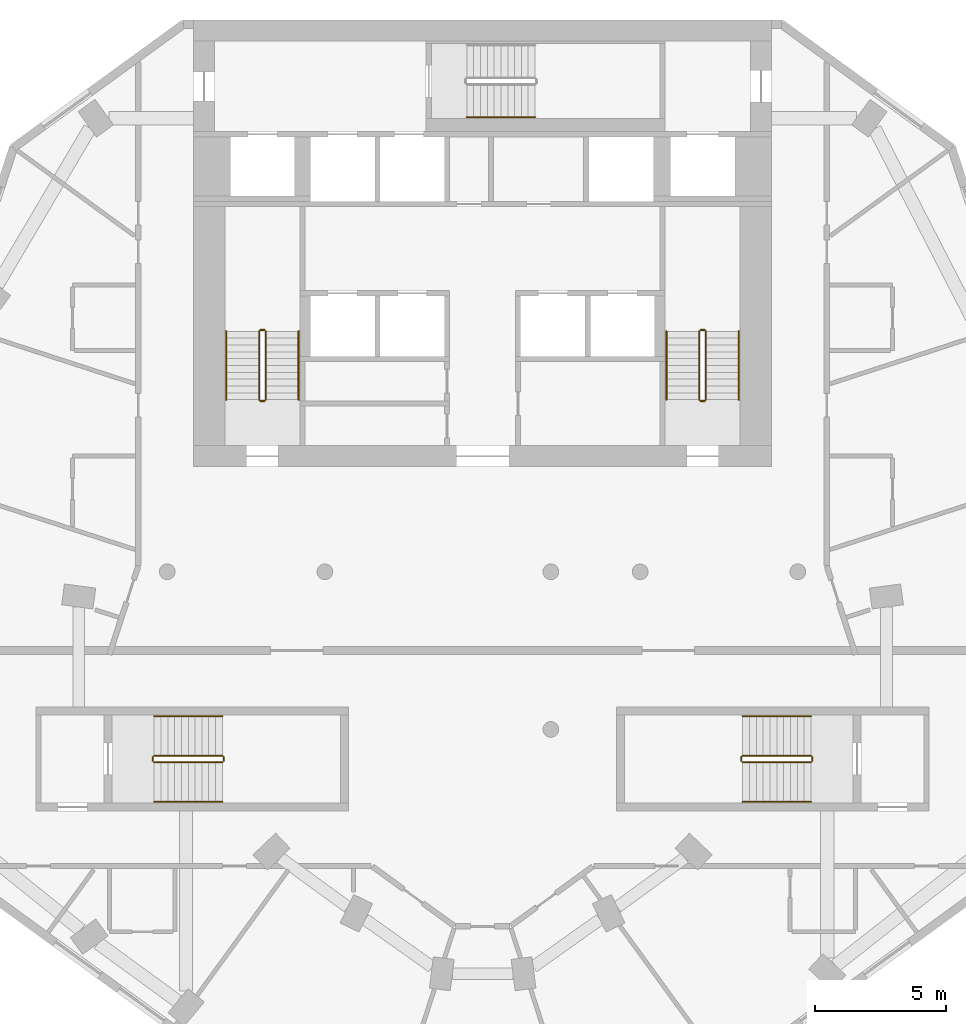
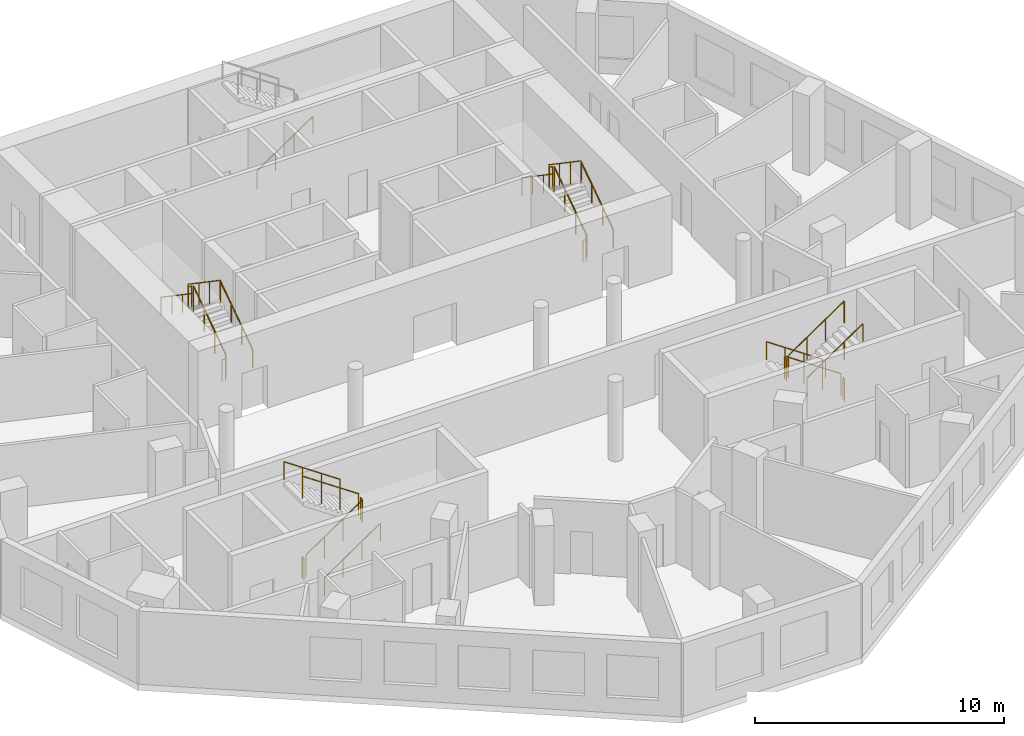
# One storey, part 8 of 9: 25 railings.
"""IFC4 building model written with IfcOpenShell, lengths in metres."""

import ifcopenshell
import ifcopenshell.guid

model = None  # the IFC model being written
_history = None  # IfcOwnerHistory: only IFC2X3 demands one
_inside = {}  # id of a spatial element -> (the spatial element, [elements in it])
_under = {}  # id of a project, library or spatial element -> (it, [spatial elements below it])
_declared = {}  # id of a project -> (the project, [libraries it declares])
_typed = {}  # id of a type object -> (the type object, [elements of that type])
_made_of = {}  # id of a material, layer set ... -> (it, [elements and type objects made of it])


def new_model(schema):
    """Start an empty IFC model of exactly this schema.

    Asked for "IFC4X3", IfcOpenShell would pick the latest addendum, in which some entities
    have other attributes; the version numbers below select the first issue.
    IFC2X3 requires an IfcOwnerHistory on every rooted entity: one is made here for all.
    """
    global model, _history
    if schema == "IFC4X3":
        model = ifcopenshell.file(schema_version=(4, 3, 0, 0))
    else:
        model = ifcopenshell.file(schema=schema)
    _inside.clear()
    _under.clear()
    _declared.clear()
    _typed.clear()
    _made_of.clear()
    _history = None
    if model.schema == "IFC2X3":
        org = make("IfcOrganization", Name="unknown")
        user = make(
            "IfcPersonAndOrganization",
            ThePerson=make("IfcPerson", FamilyName="unknown"),
            TheOrganization=org,
        )
        app = make(
            "IfcApplication",
            ApplicationDeveloper=org,
            Version="unknown",
            ApplicationFullName="unknown",
            ApplicationIdentifier="unknown",
        )
        _history = make(
            "IfcOwnerHistory",
            OwningUser=user,
            OwningApplication=app,
            ChangeAction="ADDED",
            CreationDate=0,
        )
    return model


def make(cls, **values):
    """One entity of the class cls with the attributes given. An attribute that is None is left unset."""
    return model.create_entity(
        cls, **{name: value for name, value in values.items() if value is not None}
    )


def rooted(cls, **values):
    """An entity with a GlobalId (a new one), such as an element, a storey or a relation."""
    return make(cls, GlobalId=ifcopenshell.guid.new(), OwnerHistory=_history, **values)


def si_unit(unit_type, name, prefix=None):
    """IfcSIUnit, for example si_unit("LENGTHUNIT", "METRE", prefix="MILLI")."""
    return make("IfcSIUnit", UnitType=unit_type, Prefix=prefix, Name=name)


def assignment(units):
    """IfcUnitAssignment: the units of a project."""
    return None if units is None else make("IfcUnitAssignment", Units=units)


def point(xyz):
    """IfcCartesianPoint."""
    return None if xyz is None else make("IfcCartesianPoint", Coordinates=xyz)


def direction(xyz):
    """IfcDirection."""
    return None if xyz is None else make("IfcDirection", DirectionRatios=xyz)


def frame(location, z_axis=None, x_axis=None):
    """IfcAxis2Placement3D, a coordinate frame: its origin and axes. An axis left out is left unset."""
    return make(
        "IfcAxis2Placement3D",
        Location=point(location),
        Axis=direction(z_axis),
        RefDirection=direction(x_axis),
    )


def frame_2d(location, x_axis=None):
    """IfcAxis2Placement2D, a coordinate frame in the plane: its origin and x axis."""
    return make(
        "IfcAxis2Placement2D", Location=point(location), RefDirection=direction(x_axis)
    )


def origin():
    """The frame at (0, 0, 0) with its axes left unset."""
    return frame((0.0, 0.0, 0.0))


def origin_2d():
    """The frame at (0, 0) in the plane with its x axis left unset."""
    return frame_2d((0.0, 0.0))


def place(relative_to, where):
    """IfcLocalPlacement: puts the frame where relative to a parent placement (None: the world)."""
    return make(
        "IfcLocalPlacement", PlacementRelTo=relative_to, RelativePlacement=where
    )


def context(
    kind, dimensions, precision=None, world=None, true_north=None, identifier=None
):
    """IfcGeometricRepresentationContext, for example the 3D "Model" context."""
    return make(
        "IfcGeometricRepresentationContext",
        ContextIdentifier=identifier,
        ContextType=kind,
        CoordinateSpaceDimension=dimensions,
        Precision=precision,
        WorldCoordinateSystem=world,
        TrueNorth=true_north,
    )


def subcontext(parent, identifier, kind, view, scale=None):
    """IfcGeometricRepresentationSubContext, for example "Body" below "Model"."""
    return make(
        "IfcGeometricRepresentationSubContext",
        ContextIdentifier=identifier,
        ContextType=kind,
        ParentContext=parent,
        TargetScale=scale,
        TargetView=view,
    )


def project(units=None, contexts=None):
    """IfcProject with its units and contexts."""
    return rooted(
        "IfcProject",
        Name="project",
        RepresentationContexts=contexts,
        UnitsInContext=assignment(units),
    )


def spatial(cls, under=None, at=None, **own):
    """A site, building, storey or space (cls), placed at a placement, below another one or the project."""
    s = rooted(cls, ObjectPlacement=at, **own)
    if under is not None:
        _under.setdefault(under.id(), (under, []))[1].append(s)
    return s


def profile(cls, at=None, kind="AREA", **sizes):
    """A parametric profile (cls). Its sizes go by their IFC names, for example OverallWidth=200.0."""
    return make(cls, ProfileType=kind, Position=at, **sizes)


def circle(**sizes):
    """IfcCircleProfileDef."""
    return profile("IfcCircleProfileDef", **sizes)


def extrude(swept, where, along, depth):
    """IfcExtrudedAreaSolid: the profile swept, set in the frame where, extruded along a direction by depth."""
    return make(
        "IfcExtrudedAreaSolid",
        SweptArea=swept,
        Position=where,
        ExtrudedDirection=direction(along),
        Depth=depth,
    )


def shape(context_of_items, identifier, shape_type, items):
    """IfcShapeRepresentation: the items that make up one representation, for example the "Body"."""
    return make(
        "IfcShapeRepresentation",
        ContextOfItems=context_of_items,
        RepresentationIdentifier=identifier,
        RepresentationType=shape_type,
        Items=items,
    )


def material(Name=None, Category=None):
    """IfcMaterial."""
    return make("IfcMaterial", Name=Name, Category=Category)


def made_of(thing, what):
    """Note that an element or type object is made of a material, layer set ...; save() writes the relation."""
    if what is not None:
        _made_of.setdefault(what.id(), (what, []))[1].append(thing)
    return thing


def type_object(cls, material=None, **own):
    """A type object (cls), such as IfcWallType, which elements share."""
    return made_of(rooted(cls, **own), material)


def element(
    cls,
    number,
    at=None,
    inside=None,
    cuts=None,
    type_object=None,
    material=None,
    context=None,
    identifier="Body",
    shape_type=None,
    held_by="IfcProductDefinitionShape",
    body=None,
    shapes=None,
    **own,
):
    """One element of the class cls, such as IfcWall. Its Tag is "e" and its number.

    at: its placement. inside: the storey or other place that contains it. cuts: it is an
    opening in that element (IfcRelVoidsElement). A single representation is given by context,
    identifier, shape_type and body (its items); several are given by shapes. held_by: the class
    of the entity that holds the representations. save() writes the other relations.
    """
    e = rooted(cls, Tag="e%d" % number, ObjectPlacement=at, **own)
    if body is not None:
        shapes = [shape(context, identifier, shape_type, body)]
    if shapes is not None:
        e.Representation = make(held_by, Representations=shapes)
    if inside is not None:
        _inside.setdefault(inside.id(), (inside, []))[1].append(e)
    if cuts is not None:
        rooted(
            "IfcRelVoidsElement", RelatingBuildingElement=cuts, RelatedOpeningElement=e
        )
    if type_object is not None:
        _typed.setdefault(type_object.id(), (type_object, []))[1].append(e)
    return made_of(e, material)


def aggregate(whole, parts):
    """IfcRelAggregates: a whole, such as a stair, and the parts it consists of."""
    return rooted("IfcRelAggregates", RelatingObject=whole, RelatedObjects=parts)


def save(model, path):
    """Write the relations noted so far, then the file.

    IfcRelAggregates (storeys below a building ...), IfcRelContainedInSpatialStructure (elements
    in a storey), IfcRelDefinesByType, IfcRelAssociatesMaterial and IfcRelDeclares: one each for
    every whole, place, type object, material and project.
    """
    for whole, parts in _under.values():
        aggregate(whole, parts)
    for where, things in _inside.values():
        rooted(
            "IfcRelContainedInSpatialStructure",
            RelatedElements=things,
            RelatingStructure=where,
        )
    for kind, things in _typed.values():
        rooted("IfcRelDefinesByType", RelatedObjects=things, RelatingType=kind)
    for what, things in _made_of.values():
        rooted("IfcRelAssociatesMaterial", RelatedObjects=things, RelatingMaterial=what)
    for by, libraries in _declared.values():
        rooted("IfcRelDeclares", RelatingContext=by, RelatedDefinitions=libraries)
    model.write(path)


model = new_model("IFC4")

# Units and contexts
model_context = context("Model", 3, precision=1e-05, world=origin(), true_north=direction((0.0, 1.0)))
body_context = subcontext(model_context, "Body", "Model", "MODEL_VIEW")
ifc_project = project(units=[si_unit("LENGTHUNIT", "METRE"), si_unit("AREAUNIT", "SQUARE_METRE"), si_unit("VOLUMEUNIT", "CUBIC_METRE"), si_unit("PLANEANGLEUNIT", "RADIAN"), si_unit("MASSUNIT", "GRAM", prefix="KILO")], contexts=[model_context])

# Site, building, storey
site_placement = place(None, origin())
site = spatial("IfcSite", under=ifc_project, at=site_placement, CompositionType="ELEMENT")
building_placement = place(site_placement, origin())
building = spatial("IfcBuilding", under=site, at=building_placement, Name="White Candle Pilgrim Tower", CompositionType="ELEMENT")
storey_placement = place(building_placement, frame((0.0, 0.0, 235.5)))
storey = spatial("IfcBuildingStorey", under=building, at=storey_placement, Name="L55", CompositionType="ELEMENT", Elevation=235.5)

# Railings
ifc_material = material(Name="Stainless steel", Category="steel")
railing_type_1 = type_object("IfcRailingType", Name="Stair guard stainless steel 1100 mm", PredefinedType="GUARDRAIL", material=ifc_material)
railing_1_placement = place(storey_placement, frame((61.75, 73.550048828125, 0.17724609375)))
element("IfcRailing", 1, at=railing_1_placement, inside=storey, type_object=railing_type_1, Name="L55 ST1 stair guard 1", PredefinedType="GUARDRAIL", context=body_context, shape_type="SweptSolid", body=[
    extrude(circle(Radius=0.02392578125, at=origin_2d()), frame((0.0, 0.0, 1.076171875), z_axis=(0.0, 0.826215852431, 0.563353676824), x_axis=(-1.0, 0.0, 0.0)), (0.0, 0.0, 1.0), 3.146728515625),
    extrude(circle(Radius=0.02099609375, at=origin_2d()), origin(), (0.0, 0.0, 1.0), 1.052001953125),
    extrude(circle(Radius=0.02099609375, at=origin_2d()), frame((0.0, 0.86669921875, 0.5908203125)), (0.0, 0.0, 1.0), 1.052001953125),
    extrude(circle(Radius=0.02099609375, at=origin_2d()), frame((0.0, 1.733154296875, 1.181884765625)), (0.0, 0.0, 1.0), 1.052001953125),
    extrude(circle(Radius=0.02099609375, at=origin_2d()), frame((0.0, 2.599853515625, 1.772705078125)), (0.0, 0.0, 1.0), 1.052001953125),
])
railing_2_placement = place(storey_placement, frame((61.699951171875, 76.199951171875, 1.949951171875)))
element("IfcRailing", 2, at=railing_2_placement, inside=storey, type_object=railing_type_1, Name="L55 ST1 stair guard 2", PredefinedType="GUARDRAIL", context=body_context, shape_type="SweptSolid", body=[
    extrude(circle(Radius=0.02392578125, at=origin_2d()), frame((0.0, 0.0, 1.076171875), z_axis=(-1.0, 0.0, 0.0), x_axis=(0.0, -1.0, 0.0)), (0.0, 0.0, 1.0), 0.14990234375),
    extrude(circle(Radius=0.02099609375, at=origin_2d()), origin(), (0.0, 0.0, 1.0), 1.052001953125),
    extrude(circle(Radius=0.02099609375, at=origin_2d()), frame((-0.14990234375, 0.0, 0.0)), (0.0, 0.0, 1.0), 1.052001953125),
])
railing_3_placement = place(storey_placement, frame((61.5, 76.14990234375, 2.127197265625)))
element("IfcRailing", 3, at=railing_3_placement, inside=storey, type_object=railing_type_1, Name="L55 ST1 stair guard 3", PredefinedType="GUARDRAIL", context=body_context, shape_type="SweptSolid", body=[
    extrude(circle(Radius=0.02392578125, at=origin_2d()), frame((0.0, 0.0, 1.076171875), z_axis=(0.0, -0.826215852431, 0.563353676824), x_axis=(1.0, 0.0, 0.0)), (0.0, 0.0, 1.0), 3.146728515625),
    extrude(circle(Radius=0.02099609375, at=origin_2d()), origin(), (0.0, 0.0, 1.0), 1.052001953125),
    extrude(circle(Radius=0.02099609375, at=origin_2d()), frame((0.0, -0.86669921875, 0.5908203125)), (0.0, 0.0, 1.0), 1.052001953125),
    extrude(circle(Radius=0.02099609375, at=origin_2d()), frame((0.0, -1.733154296875, 1.181884765625)), (0.0, 0.0, 1.0), 1.052001953125),
    extrude(circle(Radius=0.02099609375, at=origin_2d()), frame((0.0, -2.599853515625, 1.772705078125)), (0.0, 0.0, 1.0), 1.052001953125),
])
railing_4_placement = place(storey_placement, frame((61.699951171875, 73.5, 0.0)))
element("IfcRailing", 4, at=railing_4_placement, inside=storey, type_object=railing_type_1, Name="L55 ST1 stair guard 4", PredefinedType="GUARDRAIL", context=body_context, shape_type="SweptSolid", body=[
    extrude(circle(Radius=0.02392578125, at=origin_2d()), frame((0.0, 0.0, 1.076171875), z_axis=(-1.0, 0.0, 0.0), x_axis=(0.0, -1.0, 0.0)), (0.0, 0.0, 1.0), 0.14990234375),
    extrude(circle(Radius=0.02099609375, at=origin_2d()), origin(), (0.0, 0.0, 1.0), 1.052001953125),
    extrude(circle(Radius=0.02099609375, at=origin_2d()), frame((-0.14990234375, 0.0, 0.0)), (0.0, 0.0, 1.0), 1.052001953125),
])
railing_5_placement = place(storey_placement, frame((78.5, 73.550048828125, 0.17724609375)))
element("IfcRailing", 5, at=railing_5_placement, inside=storey, type_object=railing_type_1, Name="L55 ST2 stair guard 1", PredefinedType="GUARDRAIL", context=body_context, shape_type="SweptSolid", body=[
    extrude(circle(Radius=0.02392578125, at=origin_2d()), frame((0.0, 0.0, 1.076171875), z_axis=(0.0, 0.826215852431, 0.563353676824), x_axis=(-1.0, 0.0, 0.0)), (0.0, 0.0, 1.0), 3.146728515625),
    extrude(circle(Radius=0.02099609375, at=origin_2d()), origin(), (0.0, 0.0, 1.0), 1.052001953125),
    extrude(circle(Radius=0.02099609375, at=origin_2d()), frame((0.0, 0.86669921875, 0.5908203125)), (0.0, 0.0, 1.0), 1.052001953125),
    extrude(circle(Radius=0.02099609375, at=origin_2d()), frame((0.0, 1.733154296875, 1.181884765625)), (0.0, 0.0, 1.0), 1.052001953125),
    extrude(circle(Radius=0.02099609375, at=origin_2d()), frame((0.0, 2.599853515625, 1.772705078125)), (0.0, 0.0, 1.0), 1.052001953125),
])
railing_6_placement = place(storey_placement, frame((78.449951171875, 76.199951171875, 1.949951171875)))
element("IfcRailing", 6, at=railing_6_placement, inside=storey, type_object=railing_type_1, Name="L55 ST2 stair guard 2", PredefinedType="GUARDRAIL", context=body_context, shape_type="SweptSolid", body=[
    extrude(circle(Radius=0.02392578125, at=origin_2d()), frame((0.0, 0.0, 1.076171875), z_axis=(-1.0, 0.0, 0.0), x_axis=(0.0, -1.0, 0.0)), (0.0, 0.0, 1.0), 0.14990234375),
    extrude(circle(Radius=0.02099609375, at=origin_2d()), origin(), (0.0, 0.0, 1.0), 1.052001953125),
    extrude(circle(Radius=0.02099609375, at=origin_2d()), frame((-0.14990234375, 0.0, 0.0)), (0.0, 0.0, 1.0), 1.052001953125),
])
railing_7_placement = place(storey_placement, frame((78.25, 76.14990234375, 2.127197265625)))
element("IfcRailing", 7, at=railing_7_placement, inside=storey, type_object=railing_type_1, Name="L55 ST2 stair guard 3", PredefinedType="GUARDRAIL", context=body_context, shape_type="SweptSolid", body=[
    extrude(circle(Radius=0.02392578125, at=origin_2d()), frame((0.0, 0.0, 1.076171875), z_axis=(0.0, -0.826215852431, 0.563353676824), x_axis=(1.0, 0.0, 0.0)), (0.0, 0.0, 1.0), 3.146728515625),
    extrude(circle(Radius=0.02099609375, at=origin_2d()), origin(), (0.0, 0.0, 1.0), 1.052001953125),
    extrude(circle(Radius=0.02099609375, at=origin_2d()), frame((0.0, -0.86669921875, 0.5908203125)), (0.0, 0.0, 1.0), 1.052001953125),
    extrude(circle(Radius=0.02099609375, at=origin_2d()), frame((0.0, -1.733154296875, 1.181884765625)), (0.0, 0.0, 1.0), 1.052001953125),
    extrude(circle(Radius=0.02099609375, at=origin_2d()), frame((0.0, -2.599853515625, 1.772705078125)), (0.0, 0.0, 1.0), 1.052001953125),
])
railing_8_placement = place(storey_placement, frame((78.449951171875, 73.5, 0.0)))
element("IfcRailing", 8, at=railing_8_placement, inside=storey, type_object=railing_type_1, Name="L55 ST2 stair guard 4", PredefinedType="GUARDRAIL", context=body_context, shape_type="SweptSolid", body=[
    extrude(circle(Radius=0.02392578125, at=origin_2d()), frame((0.0, 0.0, 1.076171875), z_axis=(-1.0, 0.0, 0.0), x_axis=(0.0, -1.0, 0.0)), (0.0, 0.0, 1.0), 0.14990234375),
    extrude(circle(Radius=0.02099609375, at=origin_2d()), origin(), (0.0, 0.0, 1.0), 1.052001953125),
    extrude(circle(Radius=0.02099609375, at=origin_2d()), frame((-0.14990234375, 0.0, 0.0)), (0.0, 0.0, 1.0), 1.052001953125),
])
railing_9_placement = place(storey_placement, frame((82.5, 60.0, 0.17724609375)))
element("IfcRailing", 9, at=railing_9_placement, inside=storey, type_object=railing_type_1, Name="L55 ST4 stair guard 1", PredefinedType="GUARDRAIL", context=body_context, shape_type="SweptSolid", body=[
    extrude(circle(Radius=0.02392578125, at=origin_2d()), frame((0.0, 0.0, 1.076171875), z_axis=(-0.826240473404, 0.0, 0.563317565952), x_axis=(0.0, -1.0, 0.0)), (0.0, 0.0, 1.0), 3.14697265625),
    extrude(circle(Radius=0.02099609375, at=origin_2d()), origin(), (0.0, 0.0, 1.0), 1.052001953125),
    extrude(circle(Radius=0.02099609375, at=origin_2d()), frame((-0.86669921875, 0.0, 0.5908203125)), (0.0, 0.0, 1.0), 1.052001953125),
    extrude(circle(Radius=0.02099609375, at=origin_2d()), frame((-1.7333984375, 0.0, 1.181884765625)), (0.0, 0.0, 1.0), 1.052001953125),
    extrude(circle(Radius=0.02099609375, at=origin_2d()), frame((-2.60009765625, 0.0, 1.772705078125)), (0.0, 0.0, 1.0), 1.052001953125),
])
railing_10_placement = place(storey_placement, frame((79.85009765625, 59.949951171875, 1.949951171875)))
element("IfcRailing", 10, at=railing_10_placement, inside=storey, type_object=railing_type_1, Name="L55 ST4 stair guard 2", PredefinedType="GUARDRAIL", context=body_context, shape_type="SweptSolid", body=[
    extrude(circle(Radius=0.02392578125, at=origin_2d()), frame((0.0, 0.0, 1.076171875), z_axis=(0.0, -1.0, 0.0), x_axis=(1.0, 0.0, 0.0)), (0.0, 0.0, 1.0), 0.14990234375),
    extrude(circle(Radius=0.02099609375, at=origin_2d()), origin(), (0.0, 0.0, 1.0), 1.052001953125),
    extrude(circle(Radius=0.02099609375, at=origin_2d()), frame((0.0, -0.14990234375, 0.0)), (0.0, 0.0, 1.0), 1.052001953125),
])
railing_11_placement = place(storey_placement, frame((79.89990234375, 59.75, 2.127197265625)))
element("IfcRailing", 11, at=railing_11_placement, inside=storey, type_object=railing_type_1, Name="L55 ST4 stair guard 3", PredefinedType="GUARDRAIL", context=body_context, shape_type="SweptSolid", body=[
    extrude(circle(Radius=0.02392578125, at=origin_2d()), frame((0.0, 0.0, 1.076171875), z_axis=(0.826240473404, 0.0, 0.563317565952), x_axis=(0.0, 1.0, 0.0)), (0.0, 0.0, 1.0), 3.14697265625),
    extrude(circle(Radius=0.02099609375, at=origin_2d()), origin(), (0.0, 0.0, 1.0), 1.052001953125),
    extrude(circle(Radius=0.02099609375, at=origin_2d()), frame((0.86669921875, 0.0, 0.5908203125)), (0.0, 0.0, 1.0), 1.052001953125),
    extrude(circle(Radius=0.02099609375, at=origin_2d()), frame((1.7333984375, 0.0, 1.181884765625)), (0.0, 0.0, 1.0), 1.052001953125),
    extrude(circle(Radius=0.02099609375, at=origin_2d()), frame((2.60009765625, 0.0, 1.772705078125)), (0.0, 0.0, 1.0), 1.052001953125),
])
railing_12_placement = place(storey_placement, frame((82.550048828125, 59.949951171875, 0.0)))
element("IfcRailing", 12, at=railing_12_placement, inside=storey, type_object=railing_type_1, Name="L55 ST4 stair guard 4", PredefinedType="GUARDRAIL", context=body_context, shape_type="SweptSolid", body=[
    extrude(circle(Radius=0.02392578125, at=origin_2d()), frame((0.0, 0.0, 1.076171875), z_axis=(0.0, -1.0, 0.0), x_axis=(1.0, 0.0, 0.0)), (0.0, 0.0, 1.0), 0.14990234375),
    extrude(circle(Radius=0.02099609375, at=origin_2d()), origin(), (0.0, 0.0, 1.0), 1.052001953125),
    extrude(circle(Radius=0.02099609375, at=origin_2d()), frame((0.0, -0.14990234375, 0.0)), (0.0, 0.0, 1.0), 1.052001953125),
])
railing_13_placement = place(storey_placement, frame((57.5, 59.75, 0.17724609375)))
element("IfcRailing", 13, at=railing_13_placement, inside=storey, type_object=railing_type_1, Name="L55 ST5 stair guard 1", PredefinedType="GUARDRAIL", context=body_context, shape_type="SweptSolid", body=[
    extrude(circle(Radius=0.02392578125, at=origin_2d()), frame((0.0, 0.0, 1.076171875), z_axis=(0.826240473404, 0.0, 0.563317565952), x_axis=(0.0, 1.0, 0.0)), (0.0, 0.0, 1.0), 3.14697265625),
    extrude(circle(Radius=0.02099609375, at=origin_2d()), origin(), (0.0, 0.0, 1.0), 1.052001953125),
    extrude(circle(Radius=0.02099609375, at=origin_2d()), frame((0.86669921875, 0.0, 0.5908203125)), (0.0, 0.0, 1.0), 1.052001953125),
    extrude(circle(Radius=0.02099609375, at=origin_2d()), frame((1.7333984375, 0.0, 1.181884765625)), (0.0, 0.0, 1.0), 1.052001953125),
    extrude(circle(Radius=0.02099609375, at=origin_2d()), frame((2.60009765625, 0.0, 1.772705078125)), (0.0, 0.0, 1.0), 1.052001953125),
])
railing_14_placement = place(storey_placement, frame((60.14990234375, 59.800048828125, 1.949951171875)))
element("IfcRailing", 14, at=railing_14_placement, inside=storey, type_object=railing_type_1, Name="L55 ST5 stair guard 2", PredefinedType="GUARDRAIL", context=body_context, shape_type="SweptSolid", body=[
    extrude(circle(Radius=0.02392578125, at=origin_2d()), frame((0.0, 0.0, 1.076171875), z_axis=(0.0, 1.0, 0.0), x_axis=(-1.0, 0.0, 0.0)), (0.0, 0.0, 1.0), 0.14990234375),
    extrude(circle(Radius=0.02099609375, at=origin_2d()), origin(), (0.0, 0.0, 1.0), 1.052001953125),
    extrude(circle(Radius=0.02099609375, at=origin_2d()), frame((0.0, 0.14990234375, 0.0)), (0.0, 0.0, 1.0), 1.052001953125),
])
railing_15_placement = place(storey_placement, frame((60.10009765625, 60.0, 2.127197265625)))
element("IfcRailing", 15, at=railing_15_placement, inside=storey, type_object=railing_type_1, Name="L55 ST5 stair guard 3", PredefinedType="GUARDRAIL", context=body_context, shape_type="SweptSolid", body=[
    extrude(circle(Radius=0.02392578125, at=origin_2d()), frame((0.0, 0.0, 1.076171875), z_axis=(-0.826240473404, 0.0, 0.563317565952), x_axis=(0.0, -1.0, 0.0)), (0.0, 0.0, 1.0), 3.14697265625),
    extrude(circle(Radius=0.02099609375, at=origin_2d()), origin(), (0.0, 0.0, 1.0), 1.052001953125),
    extrude(circle(Radius=0.02099609375, at=origin_2d()), frame((-0.86669921875, 0.0, 0.5908203125)), (0.0, 0.0, 1.0), 1.052001953125),
    extrude(circle(Radius=0.02099609375, at=origin_2d()), frame((-1.7333984375, 0.0, 1.181884765625)), (0.0, 0.0, 1.0), 1.052001953125),
    extrude(circle(Radius=0.02099609375, at=origin_2d()), frame((-2.60009765625, 0.0, 1.772705078125)), (0.0, 0.0, 1.0), 1.052001953125),
])
railing_16_placement = place(storey_placement, frame((57.449951171875, 59.800048828125, 0.0)))
element("IfcRailing", 16, at=railing_16_placement, inside=storey, type_object=railing_type_1, Name="L55 ST5 stair guard 4", PredefinedType="GUARDRAIL", context=body_context, shape_type="SweptSolid", body=[
    extrude(circle(Radius=0.02392578125, at=origin_2d()), frame((0.0, 0.0, 1.076171875), z_axis=(0.0, 1.0, 0.0), x_axis=(-1.0, 0.0, 0.0)), (0.0, 0.0, 1.0), 0.14990234375),
    extrude(circle(Radius=0.02099609375, at=origin_2d()), origin(), (0.0, 0.0, 1.0), 1.052001953125),
    extrude(circle(Radius=0.02099609375, at=origin_2d()), frame((0.0, 0.14990234375, 0.0)), (0.0, 0.0, 1.0), 1.052001953125),
])
railing_type_2 = type_object("IfcRailingType", Name="Stair handrail stainless steel", PredefinedType="HANDRAIL", material=ifc_material)
railing_17_placement = place(storey_placement, frame((63.0, 73.550048828125, 0.17724609375)))
element("IfcRailing", 17, at=railing_17_placement, inside=storey, type_object=railing_type_2, Name="L55 ST1 stair handrail 1", PredefinedType="HANDRAIL", context=body_context, shape_type="SweptSolid", body=[
    extrude(circle(Radius=0.02392578125, at=origin_2d()), frame((0.0, 0.0, 0.8759765625), z_axis=(0.0, 0.826215852431, 0.563353676824), x_axis=(-1.0, 0.0, 0.0)), (0.0, 0.0, 1.0), 3.146728515625),
    extrude(circle(Radius=0.02099609375, at=origin_2d()), origin(), (0.0, 0.0, 1.0), 0.851806640625),
    extrude(circle(Radius=0.02099609375, at=origin_2d()), frame((0.0, 0.86669921875, 0.5908203125)), (0.0, 0.0, 1.0), 0.851806640625),
    extrude(circle(Radius=0.02099609375, at=origin_2d()), frame((0.0, 1.733154296875, 1.181884765625)), (0.0, 0.0, 1.0), 0.851806640625),
    extrude(circle(Radius=0.02099609375, at=origin_2d()), frame((0.0, 2.599853515625, 1.772705078125)), (0.0, 0.0, 1.0), 0.851806640625),
])
railing_18_placement = place(storey_placement, frame((60.25, 76.14990234375, 2.127197265625)))
element("IfcRailing", 18, at=railing_18_placement, inside=storey, type_object=railing_type_2, Name="L55 ST1 stair handrail 2", PredefinedType="HANDRAIL", context=body_context, shape_type="SweptSolid", body=[
    extrude(circle(Radius=0.02392578125, at=origin_2d()), frame((0.0, 0.0, 0.8759765625), z_axis=(0.0, -0.826215852431, 0.563353676824), x_axis=(1.0, 0.0, 0.0)), (0.0, 0.0, 1.0), 3.146728515625),
    extrude(circle(Radius=0.02099609375, at=origin_2d()), origin(), (0.0, 0.0, 1.0), 0.851806640625),
    extrude(circle(Radius=0.02099609375, at=origin_2d()), frame((0.0, -0.86669921875, 0.5908203125)), (0.0, 0.0, 1.0), 0.851806640625),
    extrude(circle(Radius=0.02099609375, at=origin_2d()), frame((0.0, -1.733154296875, 1.181884765625)), (0.0, 0.0, 1.0), 0.851806640625),
    extrude(circle(Radius=0.02099609375, at=origin_2d()), frame((0.0, -2.599853515625, 1.772705078125)), (0.0, 0.0, 1.0), 0.851806640625),
])
railing_19_placement = place(storey_placement, frame((79.75, 73.550048828125, 0.17724609375)))
element("IfcRailing", 19, at=railing_19_placement, inside=storey, type_object=railing_type_2, Name="L55 ST2 stair handrail 1", PredefinedType="HANDRAIL", context=body_context, shape_type="SweptSolid", body=[
    extrude(circle(Radius=0.02392578125, at=origin_2d()), frame((0.0, 0.0, 0.8759765625), z_axis=(0.0, 0.826215852431, 0.563353676824), x_axis=(-1.0, 0.0, 0.0)), (0.0, 0.0, 1.0), 3.146728515625),
    extrude(circle(Radius=0.02099609375, at=origin_2d()), origin(), (0.0, 0.0, 1.0), 0.851806640625),
    extrude(circle(Radius=0.02099609375, at=origin_2d()), frame((0.0, 0.86669921875, 0.5908203125)), (0.0, 0.0, 1.0), 0.851806640625),
    extrude(circle(Radius=0.02099609375, at=origin_2d()), frame((0.0, 1.733154296875, 1.181884765625)), (0.0, 0.0, 1.0), 0.851806640625),
    extrude(circle(Radius=0.02099609375, at=origin_2d()), frame((0.0, 2.599853515625, 1.772705078125)), (0.0, 0.0, 1.0), 0.851806640625),
])
railing_20_placement = place(storey_placement, frame((77.0, 76.14990234375, 2.127197265625)))
element("IfcRailing", 20, at=railing_20_placement, inside=storey, type_object=railing_type_2, Name="L55 ST2 stair handrail 2", PredefinedType="HANDRAIL", context=body_context, shape_type="SweptSolid", body=[
    extrude(circle(Radius=0.02392578125, at=origin_2d()), frame((0.0, 0.0, 0.8759765625), z_axis=(0.0, -0.826215852431, 0.563353676824), x_axis=(1.0, 0.0, 0.0)), (0.0, 0.0, 1.0), 3.146728515625),
    extrude(circle(Radius=0.02099609375, at=origin_2d()), origin(), (0.0, 0.0, 1.0), 0.851806640625),
    extrude(circle(Radius=0.02099609375, at=origin_2d()), frame((0.0, -0.86669921875, 0.5908203125)), (0.0, 0.0, 1.0), 0.851806640625),
    extrude(circle(Radius=0.02099609375, at=origin_2d()), frame((0.0, -1.733154296875, 1.181884765625)), (0.0, 0.0, 1.0), 0.851806640625),
    extrude(circle(Radius=0.02099609375, at=origin_2d()), frame((0.0, -2.599853515625, 1.772705078125)), (0.0, 0.0, 1.0), 0.851806640625),
])
railing_21_placement = place(storey_placement, frame((69.39990234375, 84.300048828125, 0.17724609375)))
element("IfcRailing", 21, at=railing_21_placement, inside=storey, type_object=railing_type_2, Name="L55 ST3 stair handrail 1", PredefinedType="HANDRAIL", context=body_context, shape_type="SweptSolid", body=[
    extrude(circle(Radius=0.02392578125, at=origin_2d()), frame((0.0, 0.0, 0.8759765625), z_axis=(0.826240473404, 0.0, 0.563317565952), x_axis=(0.0, 1.0, 0.0)), (0.0, 0.0, 1.0), 3.14697265625),
    extrude(circle(Radius=0.02099609375, at=origin_2d()), origin(), (0.0, 0.0, 1.0), 0.851806640625),
    extrude(circle(Radius=0.02099609375, at=origin_2d()), frame((0.86669921875, 0.0, 0.5908203125)), (0.0, 0.0, 1.0), 0.851806640625),
    extrude(circle(Radius=0.02099609375, at=origin_2d()), frame((1.7333984375, 0.0, 1.181884765625)), (0.0, 0.0, 1.0), 0.851806640625),
    extrude(circle(Radius=0.02099609375, at=origin_2d()), frame((2.60009765625, 0.0, 1.772705078125)), (0.0, 0.0, 1.0), 0.851806640625),
])
railing_22_placement = place(storey_placement, frame((82.5, 61.5, 0.17724609375)))
element("IfcRailing", 22, at=railing_22_placement, inside=storey, type_object=railing_type_2, Name="L55 ST4 stair handrail 1", PredefinedType="HANDRAIL", context=body_context, shape_type="SweptSolid", body=[
    extrude(circle(Radius=0.02392578125, at=origin_2d()), frame((0.0, 0.0, 0.8759765625), z_axis=(-0.826240473404, 0.0, 0.563317565952), x_axis=(0.0, -1.0, 0.0)), (0.0, 0.0, 1.0), 3.14697265625),
    extrude(circle(Radius=0.02099609375, at=origin_2d()), origin(), (0.0, 0.0, 1.0), 0.851806640625),
    extrude(circle(Radius=0.02099609375, at=origin_2d()), frame((-0.86669921875, 0.0, 0.5908203125)), (0.0, 0.0, 1.0), 0.851806640625),
    extrude(circle(Radius=0.02099609375, at=origin_2d()), frame((-1.7333984375, 0.0, 1.181884765625)), (0.0, 0.0, 1.0), 0.851806640625),
    extrude(circle(Radius=0.02099609375, at=origin_2d()), frame((-2.60009765625, 0.0, 1.772705078125)), (0.0, 0.0, 1.0), 0.851806640625),
])
for number, where, name in (
    (23, (79.89990234375, 58.25, 2.127197265625), "L55 ST4 stair handrail 2"),
    (24, (57.5, 58.25, 0.17724609375), "L55 ST5 stair handrail 1"),
):
    element("IfcRailing", number, at=place(storey_placement, frame(where)), inside=storey, type_object=railing_type_2, Name=name, PredefinedType="HANDRAIL", context=body_context, shape_type="SweptSolid", body=[
        extrude(circle(Radius=0.02392578125, at=origin_2d()), frame((0.0, 0.0, 0.8759765625), z_axis=(0.826240473404, 0.0, 0.563317565952), x_axis=(0.0, 1.0, 0.0)), (0.0, 0.0, 1.0), 3.14697265625),
        extrude(circle(Radius=0.02099609375, at=origin_2d()), origin(), (0.0, 0.0, 1.0), 0.851806640625),
        extrude(circle(Radius=0.02099609375, at=origin_2d()), frame((0.86669921875, 0.0, 0.5908203125)), (0.0, 0.0, 1.0), 0.851806640625),
        extrude(circle(Radius=0.02099609375, at=origin_2d()), frame((1.7333984375, 0.0, 1.181884765625)), (0.0, 0.0, 1.0), 0.851806640625),
        extrude(circle(Radius=0.02099609375, at=origin_2d()), frame((2.60009765625, 0.0, 1.772705078125)), (0.0, 0.0, 1.0), 0.851806640625),
    ])
railing_23_placement = place(storey_placement, frame((60.10009765625, 61.5, 2.127197265625)))
element("IfcRailing", 25, at=railing_23_placement, inside=storey, type_object=railing_type_2, Name="L55 ST5 stair handrail 2", PredefinedType="HANDRAIL", context=body_context, shape_type="SweptSolid", body=[
    extrude(circle(Radius=0.02392578125, at=origin_2d()), frame((0.0, 0.0, 0.8759765625), z_axis=(-0.826240473404, 0.0, 0.563317565952), x_axis=(0.0, -1.0, 0.0)), (0.0, 0.0, 1.0), 3.14697265625),
    extrude(circle(Radius=0.02099609375, at=origin_2d()), origin(), (0.0, 0.0, 1.0), 0.851806640625),
    extrude(circle(Radius=0.02099609375, at=origin_2d()), frame((-0.86669921875, 0.0, 0.5908203125)), (0.0, 0.0, 1.0), 0.851806640625),
    extrude(circle(Radius=0.02099609375, at=origin_2d()), frame((-1.7333984375, 0.0, 1.181884765625)), (0.0, 0.0, 1.0), 0.851806640625),
    extrude(circle(Radius=0.02099609375, at=origin_2d()), frame((-2.60009765625, 0.0, 1.772705078125)), (0.0, 0.0, 1.0), 0.851806640625),
])

save(model, "model.ifc")
